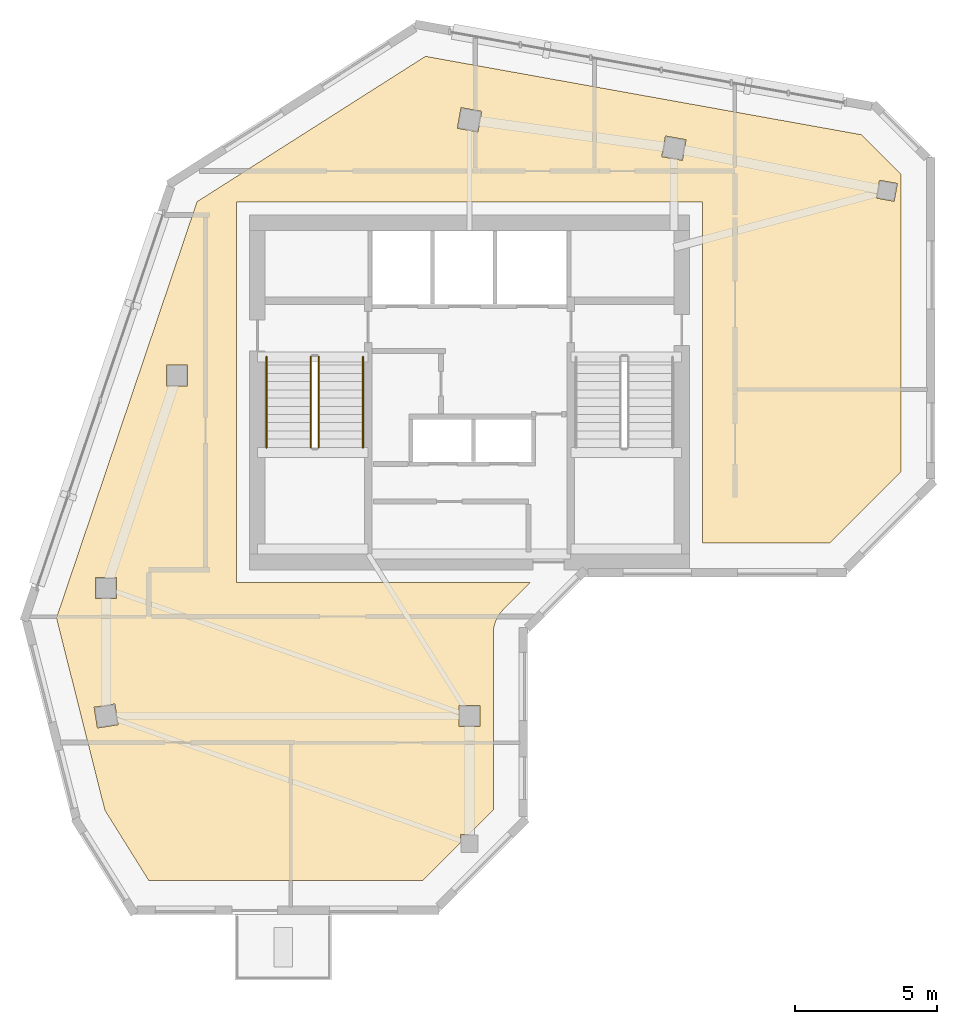
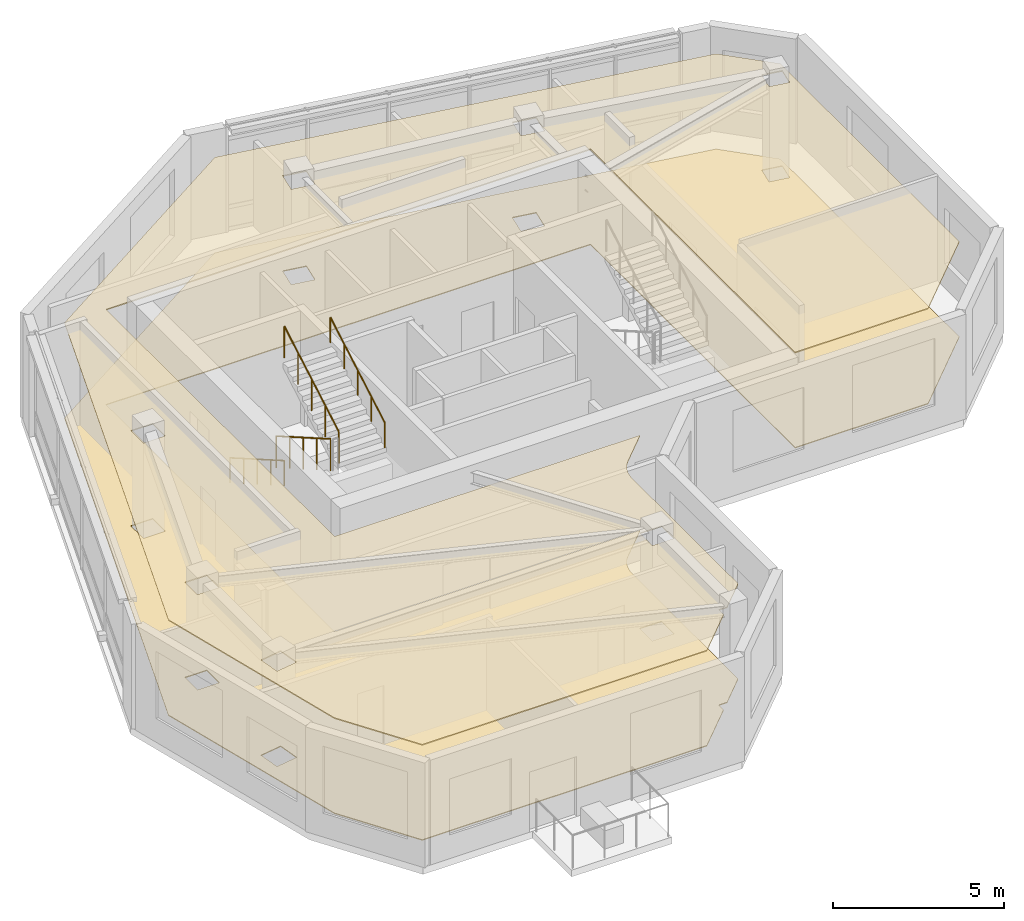
# One storey, part 7 of 8: 4 railings, 2 coverings.
"""IFC4 building model written with IfcOpenShell, lengths in metres."""

from ifc_helpers import new_model, si_unit, direction, frame, origin, origin_2d, place, context, subcontext, project, spatial, polyline, circle, outline, extrude, material, layer, layer_set, type_object, element, save


model = new_model("IFC4")

# Units and contexts
model_context = context("Model", 3, precision=1e-05, world=origin(), true_north=direction((0.0, 1.0)))
body_context = subcontext(model_context, "Body", "Model", "MODEL_VIEW")
ifc_project = project(units=[si_unit("LENGTHUNIT", "METRE"), si_unit("AREAUNIT", "SQUARE_METRE"), si_unit("VOLUMEUNIT", "CUBIC_METRE"), si_unit("PLANEANGLEUNIT", "RADIAN"), si_unit("MASSUNIT", "GRAM", prefix="KILO")], contexts=[model_context])

# Site, building, storey
site_placement = place(None, origin())
site = spatial("IfcSite", under=ifc_project, at=site_placement, CompositionType="ELEMENT")
building_placement = place(site_placement, origin())
building = spatial("IfcBuilding", under=site, at=building_placement, Name="Calvemar Wedge Station Tower", CompositionType="ELEMENT")
storey_placement = place(building_placement, frame((0.0, 0.0, 292.5)))
storey = spatial("IfcBuildingStorey", under=building, at=storey_placement, Name="L75", CompositionType="ELEMENT", Elevation=292.5)

# Coverings
ifc_material_1 = material(Name="Acoustic mineral fibre ceiling board")
ifc_layer_1 = layer(ifc_material_1, 0.0400390625)
ifc_layer_set_1 = layer_set([ifc_layer_1], Name="Acoustic mineral fibre ceiling board")
covering_type_1 = type_object("IfcCoveringType", Name="COV-CEIL-ACOUSTIC", PredefinedType="CEILING", material=ifc_layer_set_1)
covering_1_placement = place(storey_placement, frame((0.0, 0.0, 3.39990234375)))
element("IfcCovering", 1, at=covering_1_placement, inside=storey, type_object=covering_type_1, Name="Storey L75 Acoustic Suspended Ceiling", PredefinedType="CEILING", context=body_context, shape_type="SweptSolid", body=[
    extrude(outline(polyline([(32.0, 46.60009765625), (32.0, 34.60009765625), (36.5029296875, 34.60009765625), (39.0, 37.09716796875), (39.0, 47.5908203125), (37.617431640625, 48.973388671875), (22.248779296875, 51.736083984375), (14.201416015625, 46.614990234375), (9.25, 31.95068359375), (10.95751953125, 25.176025390625), (12.505126953125, 22.699951171875), (22.142822265625, 22.699951171875), (23.47998046875, 24.037109375), (23.47998046875, 24.320068359375), (23.762939453125, 24.320068359375), (24.639892578125, 25.197021484375), (24.639892578125, 31.39990234375), (24.645751953125, 31.517578125), (24.6630859375, 31.634033203125), (24.691650390625, 31.748291015625), (24.731201171875, 31.859130859375), (24.78173828125, 31.9658203125), (24.84228515625, 32.066650390625), (24.912353515625, 32.161376953125), (24.991455078125, 32.24853515625), (25.94287109375, 33.199951171875), (15.60009765625, 33.199951171875), (15.60009765625, 46.60009765625), (32.0, 46.60009765625)]), holes=[polyline([(10.6298828125, 32.6298828125), (10.6298828125, 33.3701171875), (11.3701171875, 33.3701171875), (11.3701171875, 32.6298828125), (10.6298828125, 32.6298828125)]), polyline([(13.1298828125, 40.8701171875), (13.8701171875, 40.8701171875), (13.8701171875, 40.1298828125), (13.1298828125, 40.1298828125), (13.1298828125, 40.8701171875)]), polyline([(24.229736328125, 49.798583984375), (24.0986328125, 49.0703125), (23.370361328125, 49.201416015625), (23.50146484375, 49.9296875), (24.229736328125, 49.798583984375)]), polyline([(31.298583984375, 48.0703125), (30.5703125, 48.201416015625), (30.701416015625, 48.9296875), (31.4296875, 48.798583984375), (31.298583984375, 48.0703125)]), polyline([(38.12841796875, 46.74169921875), (38.24169921875, 47.37158203125), (38.87158203125, 47.25830078125), (38.75830078125, 46.62841796875), (38.12841796875, 46.74169921875)]), polyline([(11.306884765625, 28.923828125), (11.423828125, 28.193115234375), (10.693115234375, 28.076171875), (10.576171875, 28.806884765625), (11.306884765625, 28.923828125)]), polyline([(24.169921875, 28.8701171875), (24.169921875, 28.1298828125), (23.429931640625, 28.1298828125), (23.429931640625, 28.8701171875), (24.169921875, 28.8701171875)])]), origin(), (0.0, 0.0, 1.0), 0.0400390625),
])
ifc_material_2 = material(Name="Honed coastal granite stone tile", Category="masonry")
ifc_layer_2 = layer(ifc_material_2, 0.030029296875)
ifc_layer_set_2 = layer_set([ifc_layer_2], Name="Honed coastal granite stone tile")
covering_type_2 = type_object("IfcCoveringType", Name="COV-FLR-STONE", PredefinedType="FLOORING", material=ifc_layer_set_2)
covering_2_placement = place(storey_placement, origin())
element("IfcCovering", 2, at=covering_2_placement, inside=storey, type_object=covering_type_2, Name="Storey L75 Architectural Floor Finish", PredefinedType="FLOORING", context=body_context, shape_type="SweptSolid", body=[
    extrude(outline(polyline([(32.0, 46.60009765625), (32.0, 34.60009765625), (36.5029296875, 34.60009765625), (39.0, 37.09716796875), (39.0, 47.5908203125), (37.617431640625, 48.973388671875), (22.248779296875, 51.736083984375), (14.201416015625, 46.614990234375), (9.25, 31.95068359375), (10.95751953125, 25.176025390625), (12.505126953125, 22.699951171875), (22.142822265625, 22.699951171875), (23.47998046875, 24.037109375), (23.47998046875, 24.320068359375), (23.762939453125, 24.320068359375), (24.639892578125, 25.197021484375), (24.639892578125, 31.39990234375), (24.645751953125, 31.517578125), (24.6630859375, 31.634033203125), (24.691650390625, 31.748291015625), (24.731201171875, 31.859130859375), (24.78173828125, 31.9658203125), (24.84228515625, 32.066650390625), (24.912353515625, 32.161376953125), (24.991455078125, 32.24853515625), (25.94287109375, 33.199951171875), (15.60009765625, 33.199951171875), (15.60009765625, 46.60009765625), (32.0, 46.60009765625)]), holes=[polyline([(10.6298828125, 32.6298828125), (10.6298828125, 33.3701171875), (11.3701171875, 33.3701171875), (11.3701171875, 32.6298828125), (10.6298828125, 32.6298828125)]), polyline([(13.1298828125, 40.8701171875), (13.8701171875, 40.8701171875), (13.8701171875, 40.1298828125), (13.1298828125, 40.1298828125), (13.1298828125, 40.8701171875)]), polyline([(24.229736328125, 49.798583984375), (24.0986328125, 49.0703125), (23.370361328125, 49.201416015625), (23.50146484375, 49.9296875), (24.229736328125, 49.798583984375)]), polyline([(31.298583984375, 48.0703125), (30.5703125, 48.201416015625), (30.701416015625, 48.9296875), (31.4296875, 48.798583984375), (31.298583984375, 48.0703125)]), polyline([(38.12841796875, 46.74169921875), (38.24169921875, 47.37158203125), (38.87158203125, 47.25830078125), (38.75830078125, 46.62841796875), (38.12841796875, 46.74169921875)]), polyline([(11.306884765625, 28.923828125), (11.423828125, 28.193115234375), (10.693115234375, 28.076171875), (10.576171875, 28.806884765625), (11.306884765625, 28.923828125)]), polyline([(24.169921875, 28.8701171875), (24.169921875, 28.1298828125), (23.429931640625, 28.1298828125), (23.429931640625, 28.8701171875), (24.169921875, 28.8701171875)])]), origin(), (0.0, 0.0, 1.0), 0.030029296875),
])

# Railings
ifc_material_3 = material(Name="Stainless steel AISI 316L", Category="steel")
railing_type_1 = type_object("IfcRailingType", Name="RL-HANDRAIL-920", PredefinedType="HANDRAIL", material=ifc_material_3)
railing_1_placement = place(storey_placement, frame((16.64990234375, 41.14990234375, 0.166748046875)))
element("IfcRailing", 3, at=railing_1_placement, inside=storey, type_object=railing_type_1, Name="L75 ST-C1 stair handrail 1", PredefinedType="HANDRAIL", context=body_context, shape_type="SweptSolid", body=[
    extrude(circle(Radius=0.02392578125, at=origin_2d()), frame((0.0, 0.0, 0.89599609375), z_axis=(0.0, -0.867019545617, 0.498274128887), x_axis=(1.0, 0.0, 0.0)), (0.0, 0.0, 1.0), 3.67919921875),
    extrude(circle(Radius=0.02099609375, at=origin_2d()), origin(), (0.0, 0.0, 1.0), 0.871826171875),
    extrude(circle(Radius=0.02099609375, at=origin_2d()), frame((0.0, -0.79736328125, 0.458251953125)), (0.0, 0.0, 1.0), 0.871826171875),
    extrude(circle(Radius=0.02099609375, at=origin_2d()), frame((0.0, -1.594970703125, 0.91650390625)), (0.0, 0.0, 1.0), 0.871826171875),
    extrude(circle(Radius=0.02099609375, at=origin_2d()), frame((0.0, -2.392578125, 1.375)), (0.0, 0.0, 1.0), 0.871826171875),
    extrude(circle(Radius=0.02099609375, at=origin_2d()), frame((0.0, -3.18994140625, 1.833251953125)), (0.0, 0.0, 1.0), 0.871826171875),
])
railing_2_placement = place(storey_placement, frame((20.050048828125, 37.9599609375, 2.166748046875)))
element("IfcRailing", 4, at=railing_2_placement, inside=storey, type_object=railing_type_1, Name="L75 ST-C1 stair handrail 2", PredefinedType="HANDRAIL", context=body_context, shape_type="SweptSolid", body=[
    extrude(circle(Radius=0.02392578125, at=origin_2d()), frame((0.0, 0.0, 0.89599609375), z_axis=(0.0, 0.867019545617, 0.498274128887), x_axis=(-1.0, 0.0, 0.0)), (0.0, 0.0, 1.0), 3.67919921875),
    extrude(circle(Radius=0.02099609375, at=origin_2d()), origin(), (0.0, 0.0, 1.0), 0.871826171875),
    extrude(circle(Radius=0.02099609375, at=origin_2d()), frame((0.0, 0.79736328125, 0.458251953125)), (0.0, 0.0, 1.0), 0.871826171875),
    extrude(circle(Radius=0.02099609375, at=origin_2d()), frame((0.0, 1.594970703125, 0.91650390625)), (0.0, 0.0, 1.0), 0.871826171875),
    extrude(circle(Radius=0.02099609375, at=origin_2d()), frame((0.0, 2.392578125, 1.375)), (0.0, 0.0, 1.0), 0.871826171875),
    extrude(circle(Radius=0.02099609375, at=origin_2d()), frame((0.0, 3.18994140625, 1.833251953125)), (0.0, 0.0, 1.0), 0.871826171875),
])
ifc_material_4 = material(Name="Painted steel guardrail ASTM A500 Grade C", Category="steel")
railing_type_2 = type_object("IfcRailingType", Name="RL-STAIR-GUARD-1150", PredefinedType="GUARDRAIL", material=ifc_material_4)
railing_3_placement = place(storey_placement, frame((18.2099609375, 41.14990234375, 0.166748046875)))
element("IfcRailing", 5, at=railing_3_placement, inside=storey, type_object=railing_type_2, Name="L75 ST-C1 stair guard 1", PredefinedType="GUARDRAIL", context=body_context, shape_type="SweptSolid", body=[
    extrude(circle(Radius=0.02392578125, at=origin_2d()), frame((0.0, 0.0, 1.1259765625), z_axis=(0.0, -0.867019545617, 0.498274128887), x_axis=(1.0, 0.0, 0.0)), (0.0, 0.0, 1.0), 3.67919921875),
    extrude(circle(Radius=0.02099609375, at=origin_2d()), origin(), (0.0, 0.0, 1.0), 1.101806640625),
    extrude(circle(Radius=0.02099609375, at=origin_2d()), frame((0.0, -0.79736328125, 0.458251953125)), (0.0, 0.0, 1.0), 1.101806640625),
    extrude(circle(Radius=0.02099609375, at=origin_2d()), frame((0.0, -1.594970703125, 0.91650390625)), (0.0, 0.0, 1.0), 1.101806640625),
    extrude(circle(Radius=0.02099609375, at=origin_2d()), frame((0.0, -2.392578125, 1.375)), (0.0, 0.0, 1.0), 1.101806640625),
    extrude(circle(Radius=0.02099609375, at=origin_2d()), frame((0.0, -3.18994140625, 1.833251953125)), (0.0, 0.0, 1.0), 1.101806640625),
])
railing_4_placement = place(storey_placement, frame((18.489990234375, 37.9599609375, 2.166748046875)))
element("IfcRailing", 6, at=railing_4_placement, inside=storey, type_object=railing_type_2, Name="L75 ST-C1 stair guard 3", PredefinedType="GUARDRAIL", context=body_context, shape_type="SweptSolid", body=[
    extrude(circle(Radius=0.02392578125, at=origin_2d()), frame((0.0, 0.0, 1.1259765625), z_axis=(0.0, 0.867019545617, 0.498274128887), x_axis=(-1.0, 0.0, 0.0)), (0.0, 0.0, 1.0), 3.67919921875),
    extrude(circle(Radius=0.02099609375, at=origin_2d()), origin(), (0.0, 0.0, 1.0), 1.101806640625),
    extrude(circle(Radius=0.02099609375, at=origin_2d()), frame((0.0, 0.79736328125, 0.458251953125)), (0.0, 0.0, 1.0), 1.101806640625),
    extrude(circle(Radius=0.02099609375, at=origin_2d()), frame((0.0, 1.594970703125, 0.91650390625)), (0.0, 0.0, 1.0), 1.101806640625),
    extrude(circle(Radius=0.02099609375, at=origin_2d()), frame((0.0, 2.392578125, 1.375)), (0.0, 0.0, 1.0), 1.101806640625),
    extrude(circle(Radius=0.02099609375, at=origin_2d()), frame((0.0, 3.18994140625, 1.833251953125)), (0.0, 0.0, 1.0), 1.101806640625),
])

save(model, "model.ifc")
